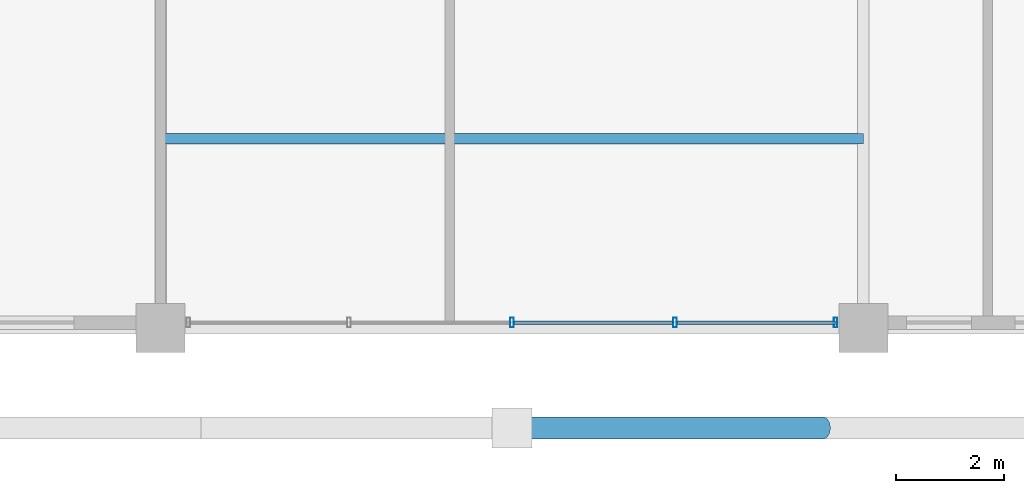
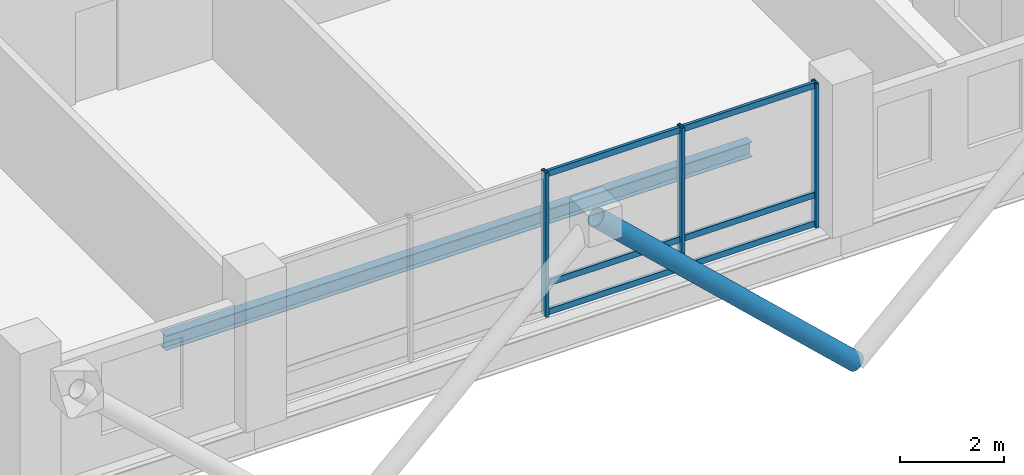
# One storey, part 5 of 23: 10 members, 1 beam, 1 element without a shape of its own.
"""IFC4 building model written with IfcOpenShell, lengths in metres."""

import ifcopenshell
import ifcopenshell.guid

model = None  # the IFC model being written
_history = None  # IfcOwnerHistory: only IFC2X3 demands one
_inside = {}  # id of a spatial element -> (the spatial element, [elements in it])
_under = {}  # id of a project, library or spatial element -> (it, [spatial elements below it])
_declared = {}  # id of a project -> (the project, [libraries it declares])
_typed = {}  # id of a type object -> (the type object, [elements of that type])
_made_of = {}  # id of a material, layer set ... -> (it, [elements and type objects made of it])


def new_model(schema):
    """Start an empty IFC model of exactly this schema.

    Asked for "IFC4X3", IfcOpenShell would pick the latest addendum, in which some entities
    have other attributes; the version numbers below select the first issue.
    IFC2X3 requires an IfcOwnerHistory on every rooted entity: one is made here for all.
    """
    global model, _history
    if schema == "IFC4X3":
        model = ifcopenshell.file(schema_version=(4, 3, 0, 0))
    else:
        model = ifcopenshell.file(schema=schema)
    _inside.clear()
    _under.clear()
    _declared.clear()
    _typed.clear()
    _made_of.clear()
    _history = None
    if model.schema == "IFC2X3":
        org = make("IfcOrganization", Name="unknown")
        user = make(
            "IfcPersonAndOrganization",
            ThePerson=make("IfcPerson", FamilyName="unknown"),
            TheOrganization=org,
        )
        app = make(
            "IfcApplication",
            ApplicationDeveloper=org,
            Version="unknown",
            ApplicationFullName="unknown",
            ApplicationIdentifier="unknown",
        )
        _history = make(
            "IfcOwnerHistory",
            OwningUser=user,
            OwningApplication=app,
            ChangeAction="ADDED",
            CreationDate=0,
        )
    return model


def make(cls, **values):
    """One entity of the class cls with the attributes given. An attribute that is None is left unset."""
    return model.create_entity(
        cls, **{name: value for name, value in values.items() if value is not None}
    )


def rooted(cls, **values):
    """An entity with a GlobalId (a new one), such as an element, a storey or a relation."""
    return make(cls, GlobalId=ifcopenshell.guid.new(), OwnerHistory=_history, **values)


def si_unit(unit_type, name, prefix=None):
    """IfcSIUnit, for example si_unit("LENGTHUNIT", "METRE", prefix="MILLI")."""
    return make("IfcSIUnit", UnitType=unit_type, Prefix=prefix, Name=name)


def assignment(units):
    """IfcUnitAssignment: the units of a project."""
    return None if units is None else make("IfcUnitAssignment", Units=units)


def point(xyz):
    """IfcCartesianPoint."""
    return None if xyz is None else make("IfcCartesianPoint", Coordinates=xyz)


def direction(xyz):
    """IfcDirection."""
    return None if xyz is None else make("IfcDirection", DirectionRatios=xyz)


def frame(location, z_axis=None, x_axis=None):
    """IfcAxis2Placement3D, a coordinate frame: its origin and axes. An axis left out is left unset."""
    return make(
        "IfcAxis2Placement3D",
        Location=point(location),
        Axis=direction(z_axis),
        RefDirection=direction(x_axis),
    )


def frame_2d(location, x_axis=None):
    """IfcAxis2Placement2D, a coordinate frame in the plane: its origin and x axis."""
    return make(
        "IfcAxis2Placement2D", Location=point(location), RefDirection=direction(x_axis)
    )


def origin():
    """The frame at (0, 0, 0) with its axes left unset."""
    return frame((0.0, 0.0, 0.0))


def origin_2d():
    """The frame at (0, 0) in the plane with its x axis left unset."""
    return frame_2d((0.0, 0.0))


def place(relative_to, where):
    """IfcLocalPlacement: puts the frame where relative to a parent placement (None: the world)."""
    return make(
        "IfcLocalPlacement", PlacementRelTo=relative_to, RelativePlacement=where
    )


def context(
    kind, dimensions, precision=None, world=None, true_north=None, identifier=None
):
    """IfcGeometricRepresentationContext, for example the 3D "Model" context."""
    return make(
        "IfcGeometricRepresentationContext",
        ContextIdentifier=identifier,
        ContextType=kind,
        CoordinateSpaceDimension=dimensions,
        Precision=precision,
        WorldCoordinateSystem=world,
        TrueNorth=true_north,
    )


def subcontext(parent, identifier, kind, view, scale=None):
    """IfcGeometricRepresentationSubContext, for example "Body" below "Model"."""
    return make(
        "IfcGeometricRepresentationSubContext",
        ContextIdentifier=identifier,
        ContextType=kind,
        ParentContext=parent,
        TargetScale=scale,
        TargetView=view,
    )


def project(units=None, contexts=None):
    """IfcProject with its units and contexts."""
    return rooted(
        "IfcProject",
        Name="project",
        RepresentationContexts=contexts,
        UnitsInContext=assignment(units),
    )


def spatial(cls, under=None, at=None, **own):
    """A site, building, storey or space (cls), placed at a placement, below another one or the project."""
    s = rooted(cls, ObjectPlacement=at, **own)
    if under is not None:
        _under.setdefault(under.id(), (under, []))[1].append(s)
    return s


def profile(cls, at=None, kind="AREA", **sizes):
    """A parametric profile (cls). Its sizes go by their IFC names, for example OverallWidth=200.0."""
    return make(cls, ProfileType=kind, Position=at, **sizes)


def hollow_rectangle(**sizes):
    """IfcRectangleHollowProfileDef."""
    return profile("IfcRectangleHollowProfileDef", **sizes)


def hollow_circle(**sizes):
    """IfcCircleHollowProfileDef."""
    return profile("IfcCircleHollowProfileDef", **sizes)


def i_section(**sizes):
    """IfcIShapeProfileDef."""
    return profile("IfcIShapeProfileDef", **sizes)


def extrude(swept, where, along, depth):
    """IfcExtrudedAreaSolid: the profile swept, set in the frame where, extruded along a direction by depth."""
    return make(
        "IfcExtrudedAreaSolid",
        SweptArea=swept,
        Position=where,
        ExtrudedDirection=direction(along),
        Depth=depth,
    )


def shape(context_of_items, identifier, shape_type, items):
    """IfcShapeRepresentation: the items that make up one representation, for example the "Body"."""
    return make(
        "IfcShapeRepresentation",
        ContextOfItems=context_of_items,
        RepresentationIdentifier=identifier,
        RepresentationType=shape_type,
        Items=items,
    )


def material(Name=None, Category=None):
    """IfcMaterial."""
    return make("IfcMaterial", Name=Name, Category=Category)


def layer(
    of_material, thickness, ventilated=None, Name=None, Category=None, Priority=None
):
    """IfcMaterialLayer: one layer of a wall or slab, of a material (None: an air gap)."""
    return make(
        "IfcMaterialLayer",
        Material=of_material,
        LayerThickness=thickness,
        IsVentilated=ventilated,
        Name=Name,
        Category=Category,
        Priority=Priority,
    )


def layer_set(layers, Name=None):
    """IfcMaterialLayerSet."""
    return make("IfcMaterialLayerSet", MaterialLayers=layers, LayerSetName=Name)


def material_profile(
    of_material, cross_section, Name=None, Category=None, Priority=None
):
    """IfcMaterialProfile: a cross section and its material."""
    return make(
        "IfcMaterialProfile",
        Name=Name,
        Material=of_material,
        Profile=cross_section,
        Priority=Priority,
        Category=Category,
    )


def profile_set(profiles, Name=None, composite=None):
    """IfcMaterialProfileSet."""
    return make(
        "IfcMaterialProfileSet",
        Name=Name,
        MaterialProfiles=profiles,
        CompositeProfile=composite,
    )


def made_of(thing, what):
    """Note that an element or type object is made of a material, layer set ...; save() writes the relation."""
    if what is not None:
        _made_of.setdefault(what.id(), (what, []))[1].append(thing)
    return thing


def type_object(cls, material=None, **own):
    """A type object (cls), such as IfcWallType, which elements share."""
    return made_of(rooted(cls, **own), material)


def element(
    cls,
    number,
    at=None,
    inside=None,
    cuts=None,
    type_object=None,
    material=None,
    context=None,
    identifier="Body",
    shape_type=None,
    held_by="IfcProductDefinitionShape",
    body=None,
    shapes=None,
    **own,
):
    """One element of the class cls, such as IfcWall. Its Tag is "e" and its number.

    at: its placement. inside: the storey or other place that contains it. cuts: it is an
    opening in that element (IfcRelVoidsElement). A single representation is given by context,
    identifier, shape_type and body (its items); several are given by shapes. held_by: the class
    of the entity that holds the representations. save() writes the other relations.
    """
    e = rooted(cls, Tag="e%d" % number, ObjectPlacement=at, **own)
    if body is not None:
        shapes = [shape(context, identifier, shape_type, body)]
    if shapes is not None:
        e.Representation = make(held_by, Representations=shapes)
    if inside is not None:
        _inside.setdefault(inside.id(), (inside, []))[1].append(e)
    if cuts is not None:
        rooted(
            "IfcRelVoidsElement", RelatingBuildingElement=cuts, RelatedOpeningElement=e
        )
    if type_object is not None:
        _typed.setdefault(type_object.id(), (type_object, []))[1].append(e)
    return made_of(e, material)


def aggregate(whole, parts):
    """IfcRelAggregates: a whole, such as a stair, and the parts it consists of."""
    return rooted("IfcRelAggregates", RelatingObject=whole, RelatedObjects=parts)


def save(model, path):
    """Write the relations noted so far, then the file.

    IfcRelAggregates (storeys below a building ...), IfcRelContainedInSpatialStructure (elements
    in a storey), IfcRelDefinesByType, IfcRelAssociatesMaterial and IfcRelDeclares: one each for
    every whole, place, type object, material and project.
    """
    for whole, parts in _under.values():
        aggregate(whole, parts)
    for where, things in _inside.values():
        rooted(
            "IfcRelContainedInSpatialStructure",
            RelatedElements=things,
            RelatingStructure=where,
        )
    for kind, things in _typed.values():
        rooted("IfcRelDefinesByType", RelatedObjects=things, RelatingType=kind)
    for what, things in _made_of.values():
        rooted("IfcRelAssociatesMaterial", RelatedObjects=things, RelatingMaterial=what)
    for by, libraries in _declared.values():
        rooted("IfcRelDeclares", RelatingContext=by, RelatedDefinitions=libraries)
    model.write(path)


model = new_model("IFC4")

# Units and contexts
model_context = context("Model", 3, precision=1e-05, world=origin(), true_north=direction((0.0, 1.0)))
body_context = subcontext(model_context, "Body", "Model", "MODEL_VIEW")
ifc_project = project(units=[si_unit("LENGTHUNIT", "METRE"), si_unit("AREAUNIT", "SQUARE_METRE"), si_unit("VOLUMEUNIT", "CUBIC_METRE"), si_unit("PLANEANGLEUNIT", "RADIAN"), si_unit("MASSUNIT", "GRAM", prefix="KILO")], contexts=[model_context])

# Site, building, storey
site_placement = place(None, origin())
site = spatial("IfcSite", under=ifc_project, at=site_placement, CompositionType="ELEMENT")
building_placement = place(site_placement, origin())
building = spatial("IfcBuilding", under=site, at=building_placement, Name="Barlavira Tower and Art Museum", CompositionType="ELEMENT")
storey_placement = place(building_placement, frame((0.0, 0.0, 290.699951171875)))
storey = spatial("IfcBuildingStorey", under=building, at=storey_placement, Name="L76", CompositionType="ELEMENT", Elevation=290.699951171875)

# Curtain wall, members
ifc_material_1 = material(Name="Low-iron coastal laminated glass", Category="glass")
ifc_layer = layer(ifc_material_1, 0.2099609375, Name="Low-iron coastal laminated glass")
ifc_layer_set = layer_set([ifc_layer], Name="Low-iron coastal laminated glass")
curtain_wall_type = type_object("IfcCurtainWallType", Name="Pale-Metal Unitised Curtain Wall Zone 4", PredefinedType="NOTDEFINED", material=ifc_layer_set)
curtain_wall_placement = place(storey_placement, origin())
curtain_wall = element("IfcCurtainWall", 1, at=curtain_wall_placement, inside=storey, type_object=curtain_wall_type, Name="L76 Curtain Wall CW4-L76-S-B2", PredefinedType="NOTDEFINED")
ifc_material_2 = material(Name="Pale anodised aluminium", Category="aluminium")
ifc_material_profile_1 = material_profile(ifc_material_2, hollow_rectangle(XDim=0.06494140625, YDim=0.179931640625, WallThickness=0.00390625, at=origin_2d()), Name="ALU-MULL 65x180x4")
ifc_profile_set_1 = profile_set([ifc_material_profile_1], Name="Pale anodised aluminium")
member_type_1 = type_object("IfcMemberType", Name="Curtain Wall Pale-Metal Mullion 65x180", PredefinedType="MULLION", material=ifc_profile_set_1)
member_1_placement = place(storey_placement, frame((0.0, -19.89990234375, 0.0), z_axis=(0.0, 0.0, 1.0), x_axis=(1.0, 0.0, 0.0)))
member_1 = element("IfcMember", 2, at=member_1_placement, type_object=member_type_1, Name="CW4-L76-S-B2 Mullion 2", PredefinedType="MULLION", context=body_context, shape_type="SweptSolid", body=[
    extrude(hollow_rectangle(XDim=0.06494140625, YDim=0.179931640625, WallThickness=0.00390625, at=origin_2d()), origin(), (0.0, 0.0, 1.0), 3.380126953125),
])
member_2_placement = place(storey_placement, frame((3.014892578125, -19.89990234375, 0.0), z_axis=(0.0, 0.0, 1.0), x_axis=(1.0, 0.0, 0.0)))
member_2 = element("IfcMember", 3, at=member_2_placement, type_object=member_type_1, Name="CW4-L76-S-B2 Mullion 3", PredefinedType="MULLION", context=body_context, shape_type="SweptSolid", body=[
    extrude(hollow_rectangle(XDim=0.06494140625, YDim=0.179931640625, WallThickness=0.00390625, at=origin_2d()), origin(), (0.0, 0.0, 1.0), 3.380126953125),
])
member_3_placement = place(storey_placement, frame((5.985107421875, -19.89990234375, 0.0), z_axis=(0.0, 0.0, 1.0), x_axis=(1.0, 0.0, 0.0)))
member_3 = element("IfcMember", 4, at=member_3_placement, type_object=member_type_1, Name="CW4-L76-S-B2 Mullion 4", PredefinedType="MULLION", context=body_context, shape_type="SweptSolid", body=[
    extrude(hollow_rectangle(XDim=0.06494140625, YDim=0.179931640625, WallThickness=0.00390625, at=origin_2d()), origin(), (0.0, 0.0, 1.0), 3.380126953125),
])
ifc_material_profile_2 = material_profile(ifc_material_2, hollow_rectangle(XDim=0.06494140625, YDim=0.139892578125, WallThickness=0.00390625, at=origin_2d()), Name="ALU-TRAN 65x140x4")
ifc_profile_set_2 = profile_set([ifc_material_profile_2], Name="Pale anodised aluminium")
member_type_2 = type_object("IfcMemberType", Name="Curtain Wall Pale-Metal Transom 65x140", PredefinedType="USERDEFINED", material=ifc_profile_set_2)
member_4_placement = place(storey_placement, frame((0.044921875, -19.89990234375, 0.070068359375), z_axis=(1.0, 0.0, 0.0), x_axis=(0.0, 1.0, 0.0)))
member_4 = element("IfcMember", 5, at=member_4_placement, type_object=member_type_2, Name="CW4-L76-S-B2 Transom 2.1", ObjectType="TRANSOM", PredefinedType="USERDEFINED", context=body_context, shape_type="SweptSolid", body=[
    extrude(hollow_rectangle(XDim=0.06494140625, YDim=0.139892578125, WallThickness=0.00390625, at=origin_2d()), origin(), (0.0, 0.0, 1.0), 2.925048828125),
])
member_5_placement = place(storey_placement, frame((0.044921875, -19.89990234375, 0.744140625), z_axis=(1.0, 0.0, 0.0), x_axis=(0.0, 1.0, 0.0)))
member_5 = element("IfcMember", 6, at=member_5_placement, type_object=member_type_2, Name="CW4-L76-S-B2 Transom 2.2", ObjectType="TRANSOM", PredefinedType="USERDEFINED", context=body_context, shape_type="SweptSolid", body=[
    extrude(hollow_rectangle(XDim=0.06494140625, YDim=0.139892578125, WallThickness=0.00390625, at=origin_2d()), origin(), (0.0, 0.0, 1.0), 2.925048828125),
])
member_6_placement = place(storey_placement, frame((0.044921875, -19.89990234375, 3.31005859375), z_axis=(1.0, 0.0, 0.0), x_axis=(0.0, 1.0, 0.0)))
member_6 = element("IfcMember", 7, at=member_6_placement, type_object=member_type_2, Name="CW4-L76-S-B2 Transom 2.3", ObjectType="TRANSOM", PredefinedType="USERDEFINED", context=body_context, shape_type="SweptSolid", body=[
    extrude(hollow_rectangle(XDim=0.06494140625, YDim=0.139892578125, WallThickness=0.00390625, at=origin_2d()), origin(), (0.0, 0.0, 1.0), 2.925048828125),
])
member_7_placement = place(storey_placement, frame((3.06005859375, -19.89990234375, 0.070068359375), z_axis=(1.0, 0.0, 0.0), x_axis=(0.0, 1.0, 0.0)))
member_7 = element("IfcMember", 8, at=member_7_placement, type_object=member_type_2, Name="CW4-L76-S-B2 Transom 3.1", ObjectType="TRANSOM", PredefinedType="USERDEFINED", context=body_context, shape_type="SweptSolid", body=[
    extrude(hollow_rectangle(XDim=0.06494140625, YDim=0.139892578125, WallThickness=0.00390625, at=origin_2d()), origin(), (0.0, 0.0, 1.0), 2.925048828125),
])
member_8_placement = place(storey_placement, frame((3.06005859375, -19.89990234375, 0.744140625), z_axis=(1.0, 0.0, 0.0), x_axis=(0.0, 1.0, 0.0)))
member_8 = element("IfcMember", 9, at=member_8_placement, type_object=member_type_2, Name="CW4-L76-S-B2 Transom 3.2", ObjectType="TRANSOM", PredefinedType="USERDEFINED", context=body_context, shape_type="SweptSolid", body=[
    extrude(hollow_rectangle(XDim=0.06494140625, YDim=0.139892578125, WallThickness=0.00390625, at=origin_2d()), origin(), (0.0, 0.0, 1.0), 2.925048828125),
])
member_9_placement = place(storey_placement, frame((3.06005859375, -19.89990234375, 3.31005859375), z_axis=(1.0, 0.0, 0.0), x_axis=(0.0, 1.0, 0.0)))
member_9 = element("IfcMember", 10, at=member_9_placement, type_object=member_type_2, Name="CW4-L76-S-B2 Transom 3.3", ObjectType="TRANSOM", PredefinedType="USERDEFINED", context=body_context, shape_type="SweptSolid", body=[
    extrude(hollow_rectangle(XDim=0.06494140625, YDim=0.139892578125, WallThickness=0.00390625, at=origin_2d()), origin(), (0.0, 0.0, 1.0), 2.925048828125),
])
aggregate(curtain_wall, [member_1, member_2, member_3, member_4, member_5, member_6, member_7, member_8, member_9])

# Member
ifc_material_3 = material(Name="Steel S355", Category="steel")
ifc_material_profile_3 = material_profile(ifc_material_3, hollow_circle(Radius=0.203125, WallThickness=0.01611328125, at=origin_2d()), Name="CHS 406.4x16.0")
ifc_profile_set_3 = profile_set([ifc_material_profile_3], Name="Steel S355")
member_type_3 = type_object("IfcMemberType", Name="Pale-Metal Exoskeleton Diagrid Tube CHS 406x16 Steel S355", PredefinedType="BRACE", material=ifc_profile_set_3)
member_10_placement = place(storey_placement, frame((5.75, -21.85009765625, -1.919921875), z_axis=(-0.728950095515, 0.0, 0.684566839869), x_axis=(0.0, -1.0, 0.0)))
element("IfcMember", 11, at=member_10_placement, inside=storey, type_object=member_type_3, Name="L76 Exoskeleton Diagrid Tube S", PredefinedType="BRACE", context=body_context, shape_type="SweptSolid", body=[
    extrude(hollow_circle(Radius=0.203125, WallThickness=0.01611328125, at=origin_2d()), origin(), (0.0, 0.0, 1.0), 7.887939453125),
])

# Beam
ifc_material_profile_4 = material_profile(ifc_material_3, i_section(OverallWidth=0.202880859375, OverallDepth=0.346923828125, WebThickness=0.0078125, FlangeThickness=0.013427734375, at=origin_2d()), Name="W360x64.0")
ifc_profile_set_4 = profile_set([ifc_material_profile_4], Name="Steel S355")
beam_type = type_object("IfcBeamType", Name="Zone 4 Composite Floor Joist W360x64 Steel S355", PredefinedType="JOIST", material=ifc_profile_set_4)
beam_placement = place(storey_placement, frame((-6.5, -16.5, -0.3935546875), z_axis=(1.0, 0.0, 0.0), x_axis=(0.0, 1.0, 0.0)))
element("IfcBeam", 12, at=beam_placement, inside=storey, type_object=beam_type, Name="L76 Joist C1", PredefinedType="JOIST", context=body_context, shape_type="SweptSolid", body=[
    extrude(i_section(OverallWidth=0.202880859375, OverallDepth=0.346923828125, WebThickness=0.0078125, FlangeThickness=0.013427734375, at=origin_2d()), origin(), (0.0, 0.0, 1.0), 13.0),
])

save(model, "model.ifc")
